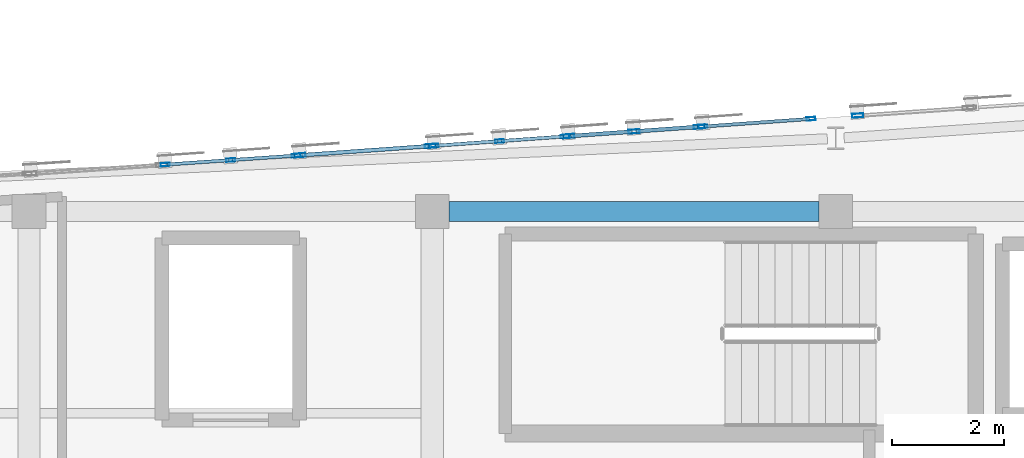
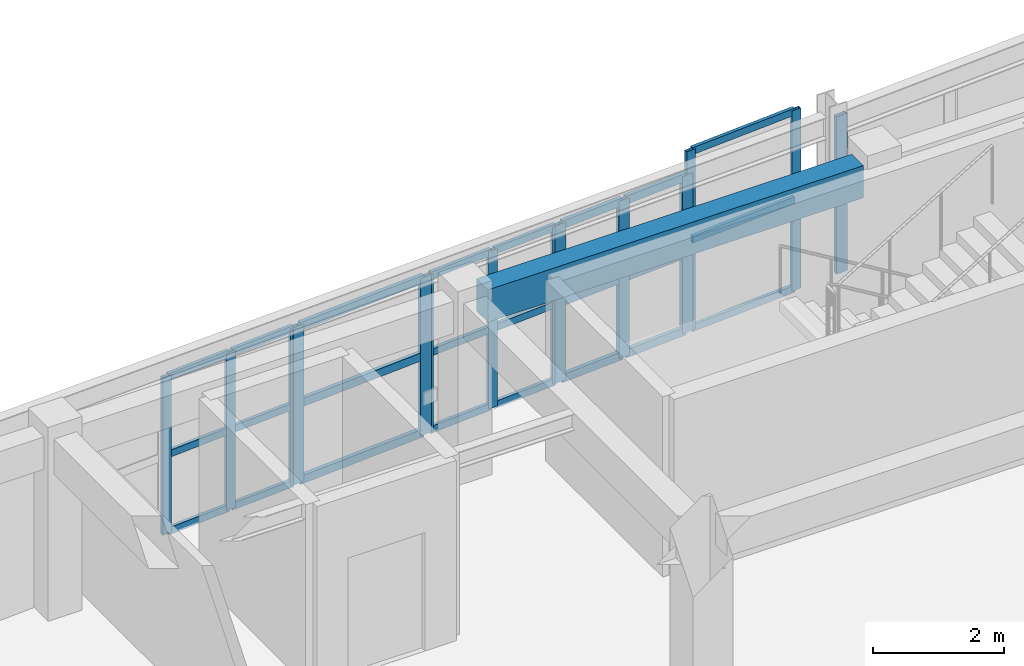
# One storey, part 13 of 73: 38 members, 1 beam, 6 elements without a shape of their own.
"""IFC4 building model written with IfcOpenShell, lengths in metres."""

from ifc_helpers import new_model, si_unit, direction, frame, origin, origin_2d, place, context, subcontext, project, spatial, rectangle, hollow_rectangle, extrude, material, layer, layer_set, material_profile, profile_set, type_object, element, aggregate, save


model = new_model("IFC4")

# Units and contexts
model_context = context("Model", 3, precision=1e-05, world=origin(), true_north=direction((0.0, 1.0)))
body_context = subcontext(model_context, "Body", "Model", "MODEL_VIEW")
ifc_project = project(units=[si_unit("LENGTHUNIT", "METRE"), si_unit("AREAUNIT", "SQUARE_METRE"), si_unit("VOLUMEUNIT", "CUBIC_METRE"), si_unit("PLANEANGLEUNIT", "RADIAN"), si_unit("MASSUNIT", "GRAM", prefix="KILO")], contexts=[model_context])

# Site, building, storey
site_placement = place(None, origin())
site = spatial("IfcSite", under=ifc_project, at=site_placement, CompositionType="ELEMENT")
building_placement = place(site_placement, origin())
building = spatial("IfcBuilding", under=site, at=building_placement, Name="Carrowvane Square Congress Hotel", CompositionType="ELEMENT")
storey_placement = place(building_placement, frame((0.0, 0.0, 19.199951171875)))
storey = spatial("IfcBuildingStorey", under=building, at=storey_placement, Name="L04", CompositionType="ELEMENT", Elevation=19.199951171875)

# Beam
ifc_material_1 = material(Name="Concrete C35/45", Category="concrete")
ifc_material_profile_1 = material_profile(ifc_material_1, rectangle(XDim=0.35009765625, YDim=0.60009765625, at=origin_2d()), Name="RC 350x600")
ifc_profile_set_1 = profile_set([ifc_material_profile_1], Name="Concrete C35/45")
beam_type = type_object("IfcBeamType", Name="BM-RC-350x600", PredefinedType="BEAM", material=ifc_profile_set_1)
beam_placement = place(storey_placement, frame((55.10009765625, 113.39990234375, 3.050048828125), z_axis=(1.0, 0.0, 0.0), x_axis=(0.0, 1.0, 0.0)))
element("IfcBeam", 1, at=beam_placement, inside=storey, type_object=beam_type, Name="L05 girder R/7-8", PredefinedType="BEAM", context=body_context, shape_type="SweptSolid", body=[
    extrude(rectangle(XDim=0.35009765625, YDim=0.60009765625, at=origin_2d()), origin(), (0.0, 0.0, 1.0), 6.599853515625),
])

# Curtain wall, members
ifc_material_2 = material(Name="Anodised aluminium", Category="aluminium")
ifc_layer_1 = layer(ifc_material_2, 0.2099609375)
ifc_layer_set_1 = layer_set([ifc_layer_1], Name="Anodised aluminium")
curtain_wall_type_1 = type_object("IfcCurtainWallType", Name="CW-SYS-5", PredefinedType="NOTDEFINED", material=ifc_layer_set_1)
curtain_wall_1_placement = place(storey_placement, origin())
curtain_wall_1 = element("IfcCurtainWall", 2, at=curtain_wall_1_placement, inside=storey, type_object=curtain_wall_type_1, Name="L04 unitised curtain wall 252", PredefinedType="NOTDEFINED")
ifc_material_3 = material(Name="Anodised aluminium", Category="aluminium")
ifc_material_profile_2 = material_profile(ifc_material_3, hollow_rectangle(XDim=0.06005859375, YDim=0.159912109375, WallThickness=0.00390625, at=origin_2d()), Name="CW-ML 60x160x4")
ifc_profile_set_2 = profile_set([ifc_material_profile_2], Name="Anodised aluminium")
member_type_1 = type_object("IfcMemberType", Name="CW-MUL-1", PredefinedType="MULLION", material=ifc_profile_set_2)
member_1_placement = place(storey_placement, frame((50.030029296875, 114.237548828125, 0.0), z_axis=(0.0, 0.0, 1.0), x_axis=(-0.068986120725, 0.997617619706, 0.0)))
member_1 = element("IfcMember", 3, at=member_1_placement, type_object=member_type_1, Name="CW-5 mullion 1", PredefinedType="MULLION", context=body_context, shape_type="SweptSolid", body=[
    extrude(hollow_rectangle(XDim=0.06005859375, YDim=0.159912109375, WallThickness=0.00390625, at=origin_2d()), origin(), (0.0, 0.0, 1.0), 2.925537109375),
])
member_2_placement = place(storey_placement, frame((51.199951171875, 114.318359375, 0.0), z_axis=(0.0, 0.0, 1.0), x_axis=(-0.068986120725, 0.997617619706, 0.0)))
member_2 = element("IfcMember", 4, at=member_2_placement, type_object=member_type_1, Name="CW-5 mullion 2", PredefinedType="MULLION", context=body_context, shape_type="SweptSolid", body=[
    extrude(hollow_rectangle(XDim=0.06005859375, YDim=0.159912109375, WallThickness=0.00390625, at=origin_2d()), origin(), (0.0, 0.0, 1.0), 2.925537109375),
])
member_3_placement = place(storey_placement, frame((52.3701171875, 114.3994140625, 0.0), z_axis=(0.0, 0.0, 1.0), x_axis=(-0.068986120725, 0.997617619706, 0.0)))
member_3 = element("IfcMember", 5, at=member_3_placement, type_object=member_type_1, Name="CW-5 mullion 3", PredefinedType="MULLION", context=body_context, shape_type="SweptSolid", body=[
    extrude(hollow_rectangle(XDim=0.06005859375, YDim=0.159912109375, WallThickness=0.00390625, at=origin_2d()), origin(), (0.0, 0.0, 1.0), 2.925537109375),
])

ifc_material_4 = material(Name="Anodised aluminium", Category="aluminium")
ifc_layer_2 = layer(ifc_material_4, 0.23388671875)
ifc_layer_set_2 = layer_set([ifc_layer_2], Name="Anodised aluminium")
curtain_wall_type_2 = type_object("IfcCurtainWallType", Name="CW-SYS-7", PredefinedType="NOTDEFINED", material=ifc_layer_set_2)
curtain_wall_2_placement = place(storey_placement, origin())
curtain_wall_2 = element("IfcCurtainWall", 6, at=curtain_wall_2_placement, inside=storey, type_object=curtain_wall_type_2, Name="L04 unitised curtain wall 254", PredefinedType="NOTDEFINED")
member_4_placement = place(storey_placement, frame((54.829833984375, 114.573486328125, 0.0), z_axis=(0.0, 0.0, 1.0), x_axis=(-0.071418356042, 0.997446448898, 0.0)))
member_4 = element("IfcMember", 7, at=member_4_placement, type_object=member_type_1, Name="CW-7 mullion 1", PredefinedType="MULLION", context=body_context, shape_type="SweptSolid", body=[
    extrude(hollow_rectangle(XDim=0.06005859375, YDim=0.159912109375, WallThickness=0.00390625, at=origin_2d()), origin(), (0.0, 0.0, 1.0), 2.925537109375),
])
member_5_placement = place(storey_placement, frame((56.0, 114.6572265625, 0.0), z_axis=(0.0, 0.0, 1.0), x_axis=(-0.071418356042, 0.997446448898, 0.0)))
member_5 = element("IfcMember", 8, at=member_5_placement, type_object=member_type_1, Name="CW-7 mullion 2", PredefinedType="MULLION", context=body_context, shape_type="SweptSolid", body=[
    extrude(hollow_rectangle(XDim=0.06005859375, YDim=0.159912109375, WallThickness=0.00390625, at=origin_2d()), origin(), (0.0, 0.0, 1.0), 2.925537109375),
])
member_6_placement = place(storey_placement, frame((57.169921875, 114.740966796875, 0.0), z_axis=(0.0, 0.0, 1.0), x_axis=(-0.071418356042, 0.997446448898, 0.0)))
member_6 = element("IfcMember", 9, at=member_6_placement, type_object=member_type_1, Name="CW-7 mullion 3", PredefinedType="MULLION", context=body_context, shape_type="SweptSolid", body=[
    extrude(hollow_rectangle(XDim=0.06005859375, YDim=0.159912109375, WallThickness=0.00390625, at=origin_2d()), origin(), (0.0, 0.0, 1.0), 2.925537109375),
])

ifc_material_5 = material(Name="Anodised aluminium", Category="aluminium")
ifc_layer_3 = layer(ifc_material_5, 0.162109375)
ifc_layer_set_3 = layer_set([ifc_layer_3], Name="Anodised aluminium")
curtain_wall_type_3 = type_object("IfcCurtainWallType", Name="CW-SYS-1", PredefinedType="NOTDEFINED", material=ifc_layer_set_3)
curtain_wall_3_placement = place(storey_placement, origin())
curtain_wall_3 = element("IfcCurtainWall", 10, at=curtain_wall_3_placement, inside=storey, type_object=curtain_wall_type_3, Name="L04 unitised curtain wall 256", PredefinedType="NOTDEFINED")
member_7_placement = place(storey_placement, frame((59.6298828125, 114.91748046875, 0.0), z_axis=(0.0, 0.0, 1.0), x_axis=(-0.070960217342, 0.997479146426, 0.0)))
member_7 = element("IfcMember", 11, at=member_7_placement, type_object=member_type_1, Name="CW-1 mullion 1", PredefinedType="MULLION", context=body_context, shape_type="SweptSolid", body=[
    extrude(hollow_rectangle(XDim=0.06005859375, YDim=0.159912109375, WallThickness=0.00390625, at=origin_2d()), origin(), (0.0, 0.0, 1.0), 3.35009765625),
])
member_8_placement = place(storey_placement, frame((61.5595703125, 115.0546875, 0.0), z_axis=(0.0, 0.0, 1.0), x_axis=(-0.070960217342, 0.997479146426, 0.0)))
member_8 = element("IfcMember", 12, at=member_8_placement, type_object=member_type_1, Name="CW-1 mullion 2", PredefinedType="MULLION", context=body_context, shape_type="SweptSolid", body=[
    extrude(hollow_rectangle(XDim=0.06005859375, YDim=0.159912109375, WallThickness=0.00390625, at=origin_2d()), origin(), (0.0, 0.0, 1.0), 3.35009765625),
])

ifc_material_6 = material(Name="Anodised aluminium", Category="aluminium")
ifc_layer_4 = layer(ifc_material_6, 0.221923828125)
ifc_layer_set_4 = layer_set([ifc_layer_4], Name="Anodised aluminium")
curtain_wall_type_4 = type_object("IfcCurtainWallType", Name="CW-SYS-6", PredefinedType="NOTDEFINED", material=ifc_layer_set_4)
curtain_wall_4_placement = place(storey_placement, origin())
curtain_wall_4 = element("IfcCurtainWall", 13, at=curtain_wall_4_placement, inside=storey, type_object=curtain_wall_type_4, Name="L04 unitised curtain wall 253", PredefinedType="NOTDEFINED")
ifc_material_7 = material(Name="Anodised aluminium", Category="aluminium")
ifc_material_profile_3 = material_profile(ifc_material_7, hollow_rectangle(XDim=0.070068359375, YDim=0.199951171875, WallThickness=0.0048828125, at=origin_2d()), Name="CW-ML 70x200x5")
ifc_profile_set_3 = profile_set([ifc_material_profile_3], Name="Anodised aluminium")
member_type_2 = type_object("IfcMemberType", Name="CW-MUL-2", PredefinedType="MULLION", material=ifc_profile_set_3)
member_9_placement = place(storey_placement, frame((52.434814453125, 114.40380859375, 0.0), z_axis=(0.0, 0.0, 1.0), x_axis=(-0.070585996942, 0.997505697746, 0.0)))
member_9 = element("IfcMember", 14, at=member_9_placement, type_object=member_type_2, Name="CW-6 mullion 1", PredefinedType="MULLION", context=body_context, shape_type="SweptSolid", body=[
    extrude(hollow_rectangle(XDim=0.070068359375, YDim=0.199951171875, WallThickness=0.0048828125, at=origin_2d()), origin(), (0.0, 0.0, 1.0), 2.925537109375),
])
member_10_placement = place(storey_placement, frame((54.76513671875, 114.56884765625, 0.0), z_axis=(0.0, 0.0, 1.0), x_axis=(-0.070585996942, 0.997505697746, 0.0)))
member_10 = element("IfcMember", 15, at=member_10_placement, type_object=member_type_2, Name="CW-6 mullion 2", PredefinedType="MULLION", context=body_context, shape_type="SweptSolid", body=[
    extrude(hollow_rectangle(XDim=0.070068359375, YDim=0.199951171875, WallThickness=0.0048828125, at=origin_2d()), origin(), (0.0, 0.0, 1.0), 2.925537109375),
])

ifc_material_8 = material(Name="Anodised aluminium", Category="aluminium")
ifc_layer_5 = layer(ifc_material_8, 0.24609375)
ifc_layer_set_5 = layer_set([ifc_layer_5], Name="Anodised aluminium")
curtain_wall_type_5 = type_object("IfcCurtainWallType", Name="CW-SYS-8", PredefinedType="NOTDEFINED", material=ifc_layer_set_5)
curtain_wall_5_placement = place(storey_placement, origin())
curtain_wall_5 = element("IfcCurtainWall", 16, at=curtain_wall_5_placement, inside=storey, type_object=curtain_wall_type_5, Name="L04 unitised curtain wall 255", PredefinedType="NOTDEFINED")
member_11_placement = place(storey_placement, frame((57.23486328125, 114.74560546875, 0.0), z_axis=(0.0, 0.0, 1.0), x_axis=(-0.071531759512, 0.997438322595, 0.0)))
member_11 = element("IfcMember", 17, at=member_11_placement, type_object=member_type_2, Name="CW-8 mullion 1", PredefinedType="MULLION", context=body_context, shape_type="SweptSolid", body=[
    extrude(hollow_rectangle(XDim=0.070068359375, YDim=0.199951171875, WallThickness=0.0048828125, at=origin_2d()), origin(), (0.0, 0.0, 1.0), 2.925537109375),
])
member_12_placement = place(storey_placement, frame((58.39990234375, 114.8291015625, 0.0), z_axis=(0.0, 0.0, 1.0), x_axis=(-0.071531759512, 0.997438322595, 0.0)))
member_12 = element("IfcMember", 18, at=member_12_placement, type_object=member_type_2, Name="CW-8 mullion 2", PredefinedType="MULLION", context=body_context, shape_type="SweptSolid", body=[
    extrude(hollow_rectangle(XDim=0.070068359375, YDim=0.199951171875, WallThickness=0.0048828125, at=origin_2d()), origin(), (0.0, 0.0, 1.0), 2.925537109375),
])
member_13_placement = place(storey_placement, frame((59.565185546875, 114.912841796875, 0.0), z_axis=(0.0, 0.0, 1.0), x_axis=(-0.071531759512, 0.997438322595, 0.0)))
member_13 = element("IfcMember", 19, at=member_13_placement, type_object=member_type_2, Name="CW-8 mullion 3", PredefinedType="MULLION", context=body_context, shape_type="SweptSolid", body=[
    extrude(hollow_rectangle(XDim=0.070068359375, YDim=0.199951171875, WallThickness=0.0048828125, at=origin_2d()), origin(), (0.0, 0.0, 1.0), 2.925537109375),
])

# Curtain wall, member
ifc_material_9 = material(Name="Anodised aluminium", Category="aluminium")
ifc_layer_6 = layer(ifc_material_9, 0.174072265625)
ifc_layer_set_6 = layer_set([ifc_layer_6], Name="Anodised aluminium")
curtain_wall_type_6 = type_object("IfcCurtainWallType", Name="CW-SYS-2", PredefinedType="NOTDEFINED", material=ifc_layer_set_6)
curtain_wall_6_placement = place(storey_placement, origin())
curtain_wall_6 = element("IfcCurtainWall", 20, at=curtain_wall_6_placement, inside=storey, type_object=curtain_wall_type_6, Name="L04 unitised curtain wall 257", PredefinedType="NOTDEFINED")
member_14_placement = place(storey_placement, frame((62.39208984375, 115.11328125, 0.0), z_axis=(0.0, 0.0, 1.0), x_axis=(-0.069723822092, 0.997566332949, 0.0)))
member_14 = element("IfcMember", 21, at=member_14_placement, type_object=member_type_2, Name="CW-2 mullion 1", PredefinedType="MULLION", context=body_context, shape_type="SweptSolid", body=[
    extrude(hollow_rectangle(XDim=0.070068359375, YDim=0.199951171875, WallThickness=0.0048828125, at=origin_2d()), origin(), (0.0, 0.0, 1.0), 2.925537109375),
])
aggregate(curtain_wall_6, [member_14])

# Member
ifc_material_10 = material(Name="Anodised aluminium", Category="aluminium")
ifc_material_profile_4 = material_profile(ifc_material_10, hollow_rectangle(XDim=0.06005859375, YDim=0.1298828125, WallThickness=0.00390625, at=origin_2d()), Name="CW-TR 60x130x4")
ifc_profile_set_4 = profile_set([ifc_material_profile_4], Name="Anodised aluminium")
member_type_3 = type_object("IfcMemberType", Name="CW-TRN-1", PredefinedType="USERDEFINED", material=ifc_profile_set_4)
member_15_placement = place(storey_placement, frame((50.059814453125, 114.239501953125, 0.030029296875), z_axis=(0.997610037403, 0.06909568201, 0.0), x_axis=(-0.06909568201, 0.997610037403, 0.0)))
member_15 = element("IfcMember", 22, at=member_15_placement, type_object=member_type_3, Name="CW-5 transom 1.1", ObjectType="TRANSOM", PredefinedType="USERDEFINED", context=body_context, shape_type="SweptSolid", body=[
    extrude(hollow_rectangle(XDim=0.06005859375, YDim=0.1298828125, WallThickness=0.00390625, at=origin_2d()), origin(), (0.0, 0.0, 1.0), 1.113037109375),
])

member_16_placement = place(storey_placement, frame((50.059814453125, 114.239501953125, 1.462890625), z_axis=(0.997610037403, 0.06909568201, 0.0), x_axis=(-0.06909568201, 0.997610037403, 0.0)))
member_16 = element("IfcMember", 23, at=member_16_placement, type_object=member_type_3, Name="CW-5 transom 1.2", ObjectType="TRANSOM", PredefinedType="USERDEFINED", context=body_context, shape_type="SweptSolid", body=[
    extrude(hollow_rectangle(XDim=0.06005859375, YDim=0.1298828125, WallThickness=0.00390625, at=origin_2d()), origin(), (0.0, 0.0, 1.0), 1.113037109375),
])

member_17_placement = place(storey_placement, frame((50.059814453125, 114.239501953125, 2.895751953125), z_axis=(0.997610037403, 0.06909568201, 0.0), x_axis=(-0.06909568201, 0.997610037403, 0.0)))
member_17 = element("IfcMember", 24, at=member_17_placement, type_object=member_type_3, Name="CW-5 transom 1.3", ObjectType="TRANSOM", PredefinedType="USERDEFINED", context=body_context, shape_type="SweptSolid", body=[
    extrude(hollow_rectangle(XDim=0.06005859375, YDim=0.1298828125, WallThickness=0.00390625, at=origin_2d()), origin(), (0.0, 0.0, 1.0), 1.113037109375),
])

member_18_placement = place(storey_placement, frame((51.22998046875, 114.320556640625, 0.030029296875), z_axis=(0.997624092775, 0.068892448896, 0.0), x_axis=(-0.068892448896, 0.997624092775, 0.0)))
member_18 = element("IfcMember", 25, at=member_18_placement, type_object=member_type_3, Name="CW-5 transom 2.1", ObjectType="TRANSOM", PredefinedType="USERDEFINED", context=body_context, shape_type="SweptSolid", body=[
    extrude(hollow_rectangle(XDim=0.06005859375, YDim=0.1298828125, WallThickness=0.00390625, at=origin_2d()), origin(), (0.0, 0.0, 1.0), 1.11279296875),
])

member_19_placement = place(storey_placement, frame((51.22998046875, 114.320556640625, 1.462890625), z_axis=(0.997624092775, 0.068892448896, 0.0), x_axis=(-0.068892448896, 0.997624092775, 0.0)))
member_19 = element("IfcMember", 26, at=member_19_placement, type_object=member_type_3, Name="CW-5 transom 2.2", ObjectType="TRANSOM", PredefinedType="USERDEFINED", context=body_context, shape_type="SweptSolid", body=[
    extrude(hollow_rectangle(XDim=0.06005859375, YDim=0.1298828125, WallThickness=0.00390625, at=origin_2d()), origin(), (0.0, 0.0, 1.0), 1.11279296875),
])

member_20_placement = place(storey_placement, frame((51.22998046875, 114.320556640625, 2.895751953125), z_axis=(0.997624092775, 0.068892448896, 0.0), x_axis=(-0.068892448896, 0.997624092775, 0.0)))
member_20 = element("IfcMember", 27, at=member_20_placement, type_object=member_type_3, Name="CW-5 transom 2.3", ObjectType="TRANSOM", PredefinedType="USERDEFINED", context=body_context, shape_type="SweptSolid", body=[
    extrude(hollow_rectangle(XDim=0.06005859375, YDim=0.1298828125, WallThickness=0.00390625, at=origin_2d()), origin(), (0.0, 0.0, 1.0), 1.11279296875),
])

aggregate(curtain_wall_1, [member_1, member_2, member_3, member_15, member_16, member_17, member_18, member_19, member_20])

member_21_placement = place(storey_placement, frame((54.85986328125, 114.575439453125, 0.030029296875), z_axis=(0.997439734895, 0.071512063685, 0.0), x_axis=(-0.071512063685, 0.997439734895, 0.0)))
member_21 = element("IfcMember", 28, at=member_21_placement, type_object=member_type_3, Name="CW-7 transom 1.1", ObjectType="TRANSOM", PredefinedType="USERDEFINED", context=body_context, shape_type="SweptSolid", body=[
    extrude(hollow_rectangle(XDim=0.06005859375, YDim=0.1298828125, WallThickness=0.00390625, at=origin_2d()), origin(), (0.0, 0.0, 1.0), 1.113037109375),
])

member_22_placement = place(storey_placement, frame((54.85986328125, 114.575439453125, 1.462890625), z_axis=(0.997439734895, 0.071512063685, 0.0), x_axis=(-0.071512063685, 0.997439734895, 0.0)))
member_22 = element("IfcMember", 29, at=member_22_placement, type_object=member_type_3, Name="CW-7 transom 1.2", ObjectType="TRANSOM", PredefinedType="USERDEFINED", context=body_context, shape_type="SweptSolid", body=[
    extrude(hollow_rectangle(XDim=0.06005859375, YDim=0.1298828125, WallThickness=0.00390625, at=origin_2d()), origin(), (0.0, 0.0, 1.0), 1.113037109375),
])

member_23_placement = place(storey_placement, frame((54.85986328125, 114.575439453125, 2.895751953125), z_axis=(0.997439734895, 0.071512063685, 0.0), x_axis=(-0.071512063685, 0.997439734895, 0.0)))
member_23 = element("IfcMember", 30, at=member_23_placement, type_object=member_type_3, Name="CW-7 transom 1.3", ObjectType="TRANSOM", PredefinedType="USERDEFINED", context=body_context, shape_type="SweptSolid", body=[
    extrude(hollow_rectangle(XDim=0.06005859375, YDim=0.1298828125, WallThickness=0.00390625, at=origin_2d()), origin(), (0.0, 0.0, 1.0), 1.113037109375),
])

member_24_placement = place(storey_placement, frame((56.02978515625, 114.659423828125, 0.030029296875), z_axis=(0.997456472769, 0.071278221999, 0.0), x_axis=(-0.071278221999, 0.997456472769, 0.0)))
member_24 = element("IfcMember", 31, at=member_24_placement, type_object=member_type_3, Name="CW-7 transom 2.1", ObjectType="TRANSOM", PredefinedType="USERDEFINED", context=body_context, shape_type="SweptSolid", body=[
    extrude(hollow_rectangle(XDim=0.06005859375, YDim=0.1298828125, WallThickness=0.00390625, at=origin_2d()), origin(), (0.0, 0.0, 1.0), 1.11328125),
])

member_25_placement = place(storey_placement, frame((56.02978515625, 114.659423828125, 1.462890625), z_axis=(0.997456472769, 0.071278221999, 0.0), x_axis=(-0.071278221999, 0.997456472769, 0.0)))
member_25 = element("IfcMember", 32, at=member_25_placement, type_object=member_type_3, Name="CW-7 transom 2.2", ObjectType="TRANSOM", PredefinedType="USERDEFINED", context=body_context, shape_type="SweptSolid", body=[
    extrude(hollow_rectangle(XDim=0.06005859375, YDim=0.1298828125, WallThickness=0.00390625, at=origin_2d()), origin(), (0.0, 0.0, 1.0), 1.11328125),
])

member_26_placement = place(storey_placement, frame((56.02978515625, 114.659423828125, 2.895751953125), z_axis=(0.997456472769, 0.071278221999, 0.0), x_axis=(-0.071278221999, 0.997456472769, 0.0)))
member_26 = element("IfcMember", 33, at=member_26_placement, type_object=member_type_3, Name="CW-7 transom 2.3", ObjectType="TRANSOM", PredefinedType="USERDEFINED", context=body_context, shape_type="SweptSolid", body=[
    extrude(hollow_rectangle(XDim=0.06005859375, YDim=0.1298828125, WallThickness=0.00390625, at=origin_2d()), origin(), (0.0, 0.0, 1.0), 1.11328125),
])

aggregate(curtain_wall_2, [member_4, member_5, member_6, member_21, member_22, member_23, member_24, member_25, member_26])

member_27_placement = place(storey_placement, frame((59.659912109375, 114.91943359375, 0.030029296875), z_axis=(0.997477179268, 0.070987864025, 0.0), x_axis=(-0.070987864025, 0.997477179268, 0.0)))
member_27 = element("IfcMember", 34, at=member_27_placement, type_object=member_type_3, Name="CW-1 transom 1.1", ObjectType="TRANSOM", PredefinedType="USERDEFINED", context=body_context, shape_type="SweptSolid", body=[
    extrude(hollow_rectangle(XDim=0.06005859375, YDim=0.1298828125, WallThickness=0.00390625, at=origin_2d()), origin(), (0.0, 0.0, 1.0), 1.874267578125),
])

member_28_placement = place(storey_placement, frame((59.659912109375, 114.91943359375, 1.675048828125), z_axis=(0.997477179268, 0.070987864025, 0.0), x_axis=(-0.070987864025, 0.997477179268, 0.0)))
member_28 = element("IfcMember", 35, at=member_28_placement, type_object=member_type_3, Name="CW-1 transom 1.2", ObjectType="TRANSOM", PredefinedType="USERDEFINED", context=body_context, shape_type="SweptSolid", body=[
    extrude(hollow_rectangle(XDim=0.06005859375, YDim=0.1298828125, WallThickness=0.00390625, at=origin_2d()), origin(), (0.0, 0.0, 1.0), 1.874267578125),
])

member_29_placement = place(storey_placement, frame((59.659912109375, 114.91943359375, 3.320068359375), z_axis=(0.997477179268, 0.070987864025, 0.0), x_axis=(-0.070987864025, 0.997477179268, 0.0)))
member_29 = element("IfcMember", 36, at=member_29_placement, type_object=member_type_3, Name="CW-1 transom 1.3", ObjectType="TRANSOM", PredefinedType="USERDEFINED", context=body_context, shape_type="SweptSolid", body=[
    extrude(hollow_rectangle(XDim=0.06005859375, YDim=0.1298828125, WallThickness=0.00390625, at=origin_2d()), origin(), (0.0, 0.0, 1.0), 1.874267578125),
])

aggregate(curtain_wall_3, [member_7, member_8, member_27, member_28, member_29])

ifc_material_11 = material(Name="Anodised aluminium", Category="aluminium")
ifc_material_profile_5 = material_profile(ifc_material_11, hollow_rectangle(XDim=0.070068359375, YDim=0.14990234375, WallThickness=0.0048828125, at=origin_2d()), Name="CW-TR 70x150x5")
ifc_profile_set_5 = profile_set([ifc_material_profile_5], Name="Anodised aluminium")
member_type_4 = type_object("IfcMemberType", Name="CW-TRN-2", PredefinedType="USERDEFINED", material=ifc_profile_set_5)
member_30_placement = place(storey_placement, frame((52.4697265625, 114.406494140625, 0.03515625), z_axis=(0.997507138694, 0.070565630829, 0.0), x_axis=(-0.070565630829, 0.997507138694, 0.0)))
member_30 = element("IfcMember", 37, at=member_30_placement, type_object=member_type_4, Name="CW-6 transom 1.1", ObjectType="TRANSOM", PredefinedType="USERDEFINED", context=body_context, shape_type="SweptSolid", body=[
    extrude(hollow_rectangle(XDim=0.070068359375, YDim=0.14990234375, WallThickness=0.0048828125, at=origin_2d()), origin(), (0.0, 0.0, 1.0), 2.26611328125),
])

member_31_placement = place(storey_placement, frame((52.4697265625, 114.406494140625, 1.462890625), z_axis=(0.997507138694, 0.070565630829, 0.0), x_axis=(-0.070565630829, 0.997507138694, 0.0)))
member_31 = element("IfcMember", 38, at=member_31_placement, type_object=member_type_4, Name="CW-6 transom 1.2", ObjectType="TRANSOM", PredefinedType="USERDEFINED", context=body_context, shape_type="SweptSolid", body=[
    extrude(hollow_rectangle(XDim=0.070068359375, YDim=0.14990234375, WallThickness=0.0048828125, at=origin_2d()), origin(), (0.0, 0.0, 1.0), 2.26611328125),
])

member_32_placement = place(storey_placement, frame((52.4697265625, 114.406494140625, 2.890625), z_axis=(0.997507138694, 0.070565630829, 0.0), x_axis=(-0.070565630829, 0.997507138694, 0.0)))
member_32 = element("IfcMember", 39, at=member_32_placement, type_object=member_type_4, Name="CW-6 transom 1.3", ObjectType="TRANSOM", PredefinedType="USERDEFINED", context=body_context, shape_type="SweptSolid", body=[
    extrude(hollow_rectangle(XDim=0.070068359375, YDim=0.14990234375, WallThickness=0.0048828125, at=origin_2d()), origin(), (0.0, 0.0, 1.0), 2.26611328125),
])

aggregate(curtain_wall_4, [member_9, member_10, member_30, member_31, member_32])

member_33_placement = place(storey_placement, frame((57.269775390625, 114.748046875, 0.03515625), z_axis=(0.997433808996, 0.071594669304, 0.0), x_axis=(-0.071594669304, 0.997433808996, 0.0)))
member_33 = element("IfcMember", 40, at=member_33_placement, type_object=member_type_4, Name="CW-8 transom 1.1", ObjectType="TRANSOM", PredefinedType="USERDEFINED", context=body_context, shape_type="SweptSolid", body=[
    extrude(hollow_rectangle(XDim=0.070068359375, YDim=0.14990234375, WallThickness=0.0048828125, at=origin_2d()), origin(), (0.0, 0.0, 1.0), 1.09814453125),
])

member_34_placement = place(storey_placement, frame((57.269775390625, 114.748046875, 1.462890625), z_axis=(0.997433808996, 0.071594669304, 0.0), x_axis=(-0.071594669304, 0.997433808996, 0.0)))
member_34 = element("IfcMember", 41, at=member_34_placement, type_object=member_type_4, Name="CW-8 transom 1.2", ObjectType="TRANSOM", PredefinedType="USERDEFINED", context=body_context, shape_type="SweptSolid", body=[
    extrude(hollow_rectangle(XDim=0.070068359375, YDim=0.14990234375, WallThickness=0.0048828125, at=origin_2d()), origin(), (0.0, 0.0, 1.0), 1.09814453125),
])

member_35_placement = place(storey_placement, frame((57.269775390625, 114.748046875, 2.890625), z_axis=(0.997433808996, 0.071594669304, 0.0), x_axis=(-0.071594669304, 0.997433808996, 0.0)))
member_35 = element("IfcMember", 42, at=member_35_placement, type_object=member_type_4, Name="CW-8 transom 1.3", ObjectType="TRANSOM", PredefinedType="USERDEFINED", context=body_context, shape_type="SweptSolid", body=[
    extrude(hollow_rectangle(XDim=0.070068359375, YDim=0.14990234375, WallThickness=0.0048828125, at=origin_2d()), origin(), (0.0, 0.0, 1.0), 1.09814453125),
])

member_36_placement = place(storey_placement, frame((58.434814453125, 114.831787109375, 0.03515625), z_axis=(0.99745079479, 0.071357634305, 0.0), x_axis=(-0.071357634305, 0.99745079479, 0.0)))
member_36 = element("IfcMember", 43, at=member_36_placement, type_object=member_type_4, Name="CW-8 transom 2.1", ObjectType="TRANSOM", PredefinedType="USERDEFINED", context=body_context, shape_type="SweptSolid", body=[
    extrude(hollow_rectangle(XDim=0.070068359375, YDim=0.14990234375, WallThickness=0.0048828125, at=origin_2d()), origin(), (0.0, 0.0, 1.0), 1.09814453125),
])

member_37_placement = place(storey_placement, frame((58.434814453125, 114.831787109375, 1.462890625), z_axis=(0.99745079479, 0.071357634305, 0.0), x_axis=(-0.071357634305, 0.99745079479, 0.0)))
member_37 = element("IfcMember", 44, at=member_37_placement, type_object=member_type_4, Name="CW-8 transom 2.2", ObjectType="TRANSOM", PredefinedType="USERDEFINED", context=body_context, shape_type="SweptSolid", body=[
    extrude(hollow_rectangle(XDim=0.070068359375, YDim=0.14990234375, WallThickness=0.0048828125, at=origin_2d()), origin(), (0.0, 0.0, 1.0), 1.09814453125),
])

member_38_placement = place(storey_placement, frame((58.434814453125, 114.831787109375, 2.890625), z_axis=(0.99745079479, 0.071357634305, 0.0), x_axis=(-0.071357634305, 0.99745079479, 0.0)))
member_38 = element("IfcMember", 45, at=member_38_placement, type_object=member_type_4, Name="CW-8 transom 2.3", ObjectType="TRANSOM", PredefinedType="USERDEFINED", context=body_context, shape_type="SweptSolid", body=[
    extrude(hollow_rectangle(XDim=0.070068359375, YDim=0.14990234375, WallThickness=0.0048828125, at=origin_2d()), origin(), (0.0, 0.0, 1.0), 1.09814453125),
])

aggregate(curtain_wall_5, [member_11, member_12, member_13, member_33, member_34, member_35, member_36, member_37, member_38])

save(model, "model.ifc")
